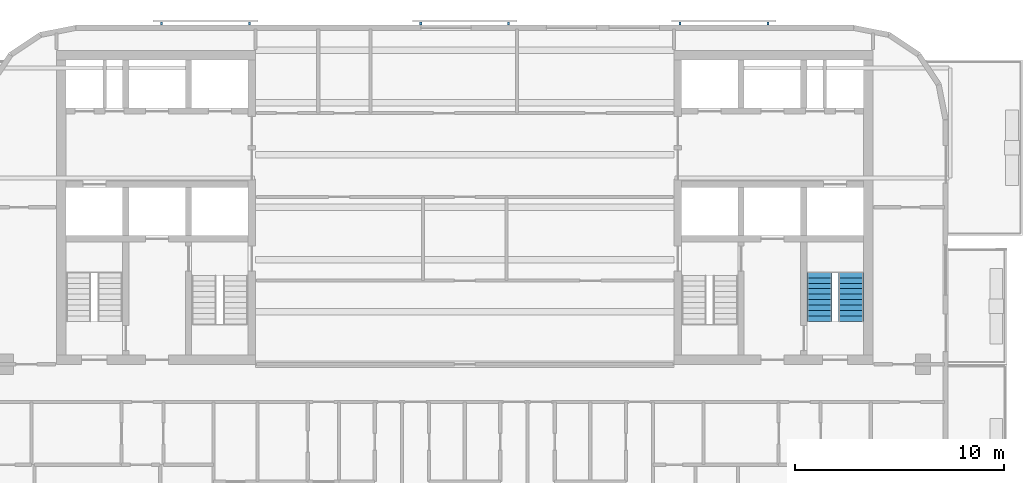
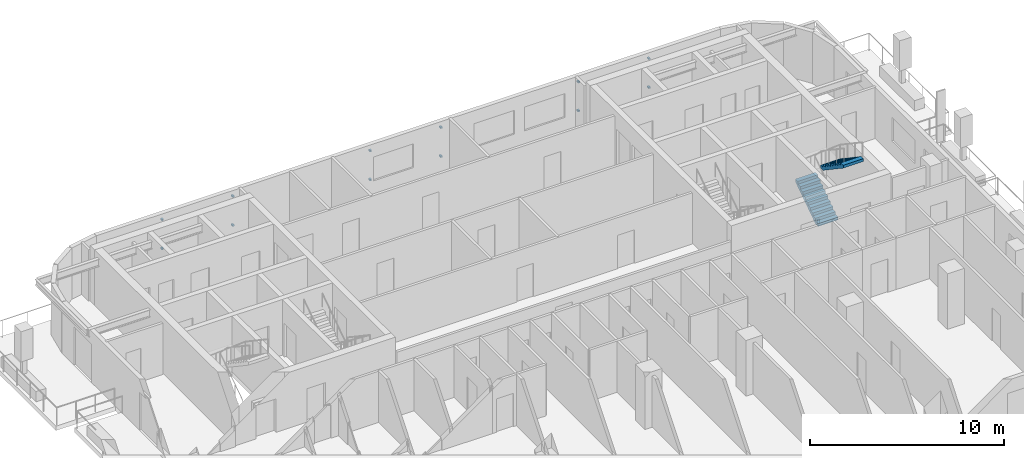
# One storey, part 8 of 11: 12 discrete accessories, 2 stair flights, 1 element without a shape of its own.
"""IFC4 building model written with IfcOpenShell, lengths in metres."""

from ifc_helpers import new_model, si_unit, direction, frame, origin, origin_2d, place, context, subcontext, project, spatial, polyline, rectangle, outline, extrude, material, type_object, element, aggregate, save


model = new_model("IFC4")

# Units and contexts
model_context = context("Model", 3, precision=1e-05, world=origin(), true_north=direction((0.0, 1.0)))
body_context = subcontext(model_context, "Body", "Model", "MODEL_VIEW")
ifc_project = project(units=[si_unit("LENGTHUNIT", "METRE"), si_unit("AREAUNIT", "SQUARE_METRE"), si_unit("VOLUMEUNIT", "CUBIC_METRE"), si_unit("PLANEANGLEUNIT", "RADIAN"), si_unit("MASSUNIT", "GRAM", prefix="KILO")], contexts=[model_context])

# Site, building, storey
site_placement = place(None, origin())
site = spatial("IfcSite", under=ifc_project, at=site_placement, CompositionType="ELEMENT")
building_placement = place(site_placement, origin())
building = spatial("IfcBuilding", under=site, at=building_placement, Name="Torana Hotel and Residences", CompositionType="ELEMENT")
storey_placement = place(building_placement, frame((0.0, 0.0, 256.10009765625)))
storey = spatial("IfcBuildingStorey", under=building, at=storey_placement, Name="L67", CompositionType="ELEMENT", Elevation=256.10009765625)

# Stair, stair flights
ifc_material_1 = material(Name="Concrete C40/50 precast", Category="concrete")
stair_type = type_object("IfcStairType", Name="STAIR ST4 HALF TURN 1200", PredefinedType="HALF_TURN_STAIR", material=ifc_material_1)
stair_placement = place(storey_placement, origin())
stair = element("IfcStair", 1, at=stair_placement, inside=storey, type_object=stair_type, Name="Stair ST4 L67", PredefinedType="HALF_TURN_STAIR")
ifc_material_2 = material(Name="Concrete C40/50 precast", Category="concrete")
stair_flight_type = type_object("IfcStairFlightType", Name="STAIR FLIGHT 1200 PRECAST", PredefinedType="STRAIGHT", material=ifc_material_2)
stair_flight_1_placement = place(storey_placement, frame((16.949951171875, -12.949951171875, 0.0), z_axis=(0.0, 0.0, 1.0), x_axis=(0.0, 1.0, 0.0)))
stair_flight_1 = element("IfcStairFlight", 2, at=stair_flight_1_placement, type_object=stair_flight_type, Name="ST4 flight 1", NumberOfRisers=10, NumberOfTreads=9, PredefinedType="STRAIGHT", RiserHeight=0.175, TreadLength=0.26, context=body_context, shape_type="SweptSolid", body=[
    extrude(outline(polyline([(0.0, 0.0), (0.0, 0.175048828125), (0.260009765625, 0.175048828125), (0.260009765625, 0.35009765625), (0.52001953125, 0.35009765625), (0.52001953125, 0.52490234375), (0.780029296875, 0.52490234375), (0.780029296875, 0.699951171875), (1.0400390625, 0.699951171875), (1.0400390625, 0.875), (1.300048828125, 0.875), (1.300048828125, 1.050048828125), (1.56005859375, 1.050048828125), (1.56005859375, 1.22509765625), (1.820068359375, 1.22509765625), (1.820068359375, 1.39990234375), (2.080078125, 1.39990234375), (2.080078125, 1.574951171875), (2.340087890625, 1.574951171875), (2.340087890625, 1.75), (2.340087890625, 1.394287109375), (0.2685546875, 0.0), (0.0, 0.0)])), frame((0.0, 0.60009765625, 0.0), z_axis=(0.0, -1.0, 0.0), x_axis=(1.0, 0.0, 0.0)), (0.0, 0.0, 1.0), 1.199951171875),
])
stair_flight_2_placement = place(storey_placement, frame((18.449951171875, -10.610107421875, 1.75), z_axis=(0.0, 0.0, 1.0), x_axis=(0.0, -1.0, 0.0)))
stair_flight_2 = element("IfcStairFlight", 3, at=stair_flight_2_placement, type_object=stair_flight_type, Name="ST4 flight 2", NumberOfRisers=10, NumberOfTreads=9, PredefinedType="STRAIGHT", RiserHeight=0.175, TreadLength=0.26, context=body_context, shape_type="SweptSolid", body=[
    extrude(outline(polyline([(0.0, 0.0), (0.0, 0.175048828125), (0.260009765625, 0.175048828125), (0.260009765625, 0.35009765625), (0.52001953125, 0.35009765625), (0.52001953125, 0.52490234375), (0.780029296875, 0.52490234375), (0.780029296875, 0.699951171875), (1.0400390625, 0.699951171875), (1.0400390625, 0.875), (1.300048828125, 0.875), (1.300048828125, 1.050048828125), (1.56005859375, 1.050048828125), (1.56005859375, 1.22509765625), (1.820068359375, 1.22509765625), (1.820068359375, 1.39990234375), (2.080078125, 1.39990234375), (2.080078125, 1.574951171875), (2.340087890625, 1.574951171875), (2.340087890625, 1.75), (2.340087890625, 1.394287109375), (0.2685546875, 0.0), (0.0, 0.0)])), frame((0.0, 0.60009765625, 0.0), z_axis=(0.0, -1.0, 0.0), x_axis=(1.0, 0.0, 0.0)), (0.0, 0.0, 1.0), 1.199951171875),
])
aggregate(stair, [stair_flight_1, stair_flight_2])

# Discrete accessories
ifc_material_3 = material(Name="Steel S355", Category="steel")
discrete_accessory_type = type_object("IfcDiscreteAccessoryType", Name="SCREEN BRACKET 100", PredefinedType="BRACKET", material=ifc_material_3)
for number, where, z_axis, x_axis, name in (
    (4, (14.483642578125, 1.27490234375, 0.749755859375), (0.0, 0.0, 1.0), (-1.0, 0.0, 0.0), "Screen bracket L67"),
    (5, (14.483642578125, 1.27490234375, 2.56982421875), (0.0, 0.0, 1.0), (-1.0, 0.0, 0.0), "Screen bracket L67"),
    (6, (10.28369140625, 1.27490234375, 0.749755859375), (0.0, 0.0, 1.0), (-1.0, 0.0, 0.0), "Screen bracket L67"),
    (7, (10.28369140625, 1.27490234375, 2.56982421875), (0.0, 0.0, 1.0), (-1.0, 0.0, 0.0), "Screen bracket L67"),
    (8, (2.10009765625, 1.27490234375, 0.749755859375), (0.0, 0.0, 1.0), (-1.0, 0.0, 0.0), "Screen bracket L67"),
    (9, (2.10009765625, 1.27490234375, 2.56982421875), (0.0, 0.0, 1.0), (-1.0, 0.0, 0.0), "Screen bracket L67"),
    (10, (-2.10009765625, 1.27490234375, 0.749755859375), (0.0, 0.0, 1.0), (-1.0, 0.0, 0.0), "Screen bracket L67"),
    (11, (-2.10009765625, 1.27490234375, 2.56982421875), (0.0, 0.0, 1.0), (-1.0, 0.0, 0.0), "Screen bracket L67"),
    (12, (-10.28369140625, 1.27490234375, 0.749755859375), (0.0, 0.0, 1.0), (-1.0, 0.0, 0.0), "Screen bracket L67"),
    (13, (-10.28369140625, 1.27490234375, 2.56982421875), (0.0, 0.0, 1.0), (-1.0, 0.0, 0.0), "Screen bracket L67"),
    (14, (-14.483642578125, 1.27490234375, 0.749755859375), (0.0, 0.0, 1.0), (-1.0, 0.0, 0.0), "Screen bracket L67"),
    (15, (-14.483642578125, 1.27490234375, 2.56982421875), (0.0, 0.0, 1.0), (-1.0, 0.0, 0.0), "Screen bracket L67"),
):
    element("IfcDiscreteAccessory", number, at=place(storey_placement, frame(where, z_axis=z_axis, x_axis=x_axis)), inside=storey, type_object=discrete_accessory_type, Name=name, PredefinedType="BRACKET", context=body_context, shape_type="SweptSolid", body=[
        extrude(rectangle(XDim=0.10009765625, YDim=0.14990234375, at=origin_2d()), origin(), (0.0, 0.0, 1.0), 0.10009765625),
    ])

save(model, "model.ifc")
